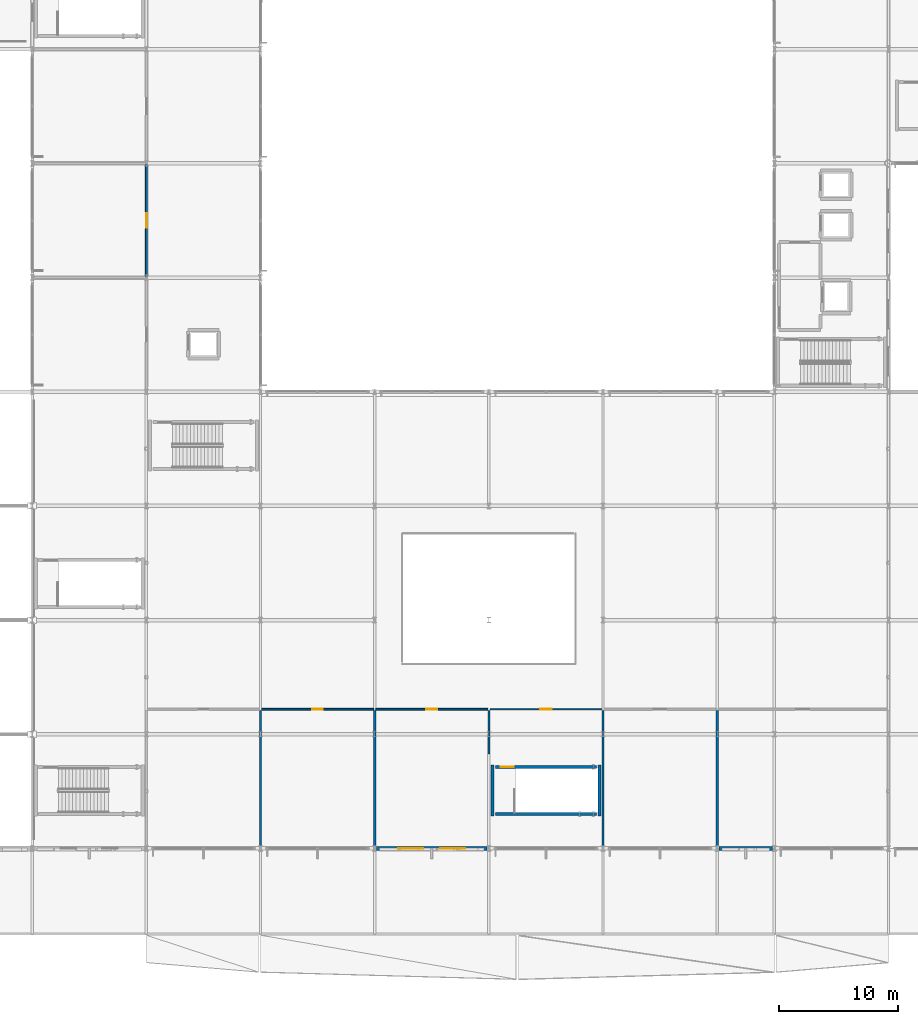
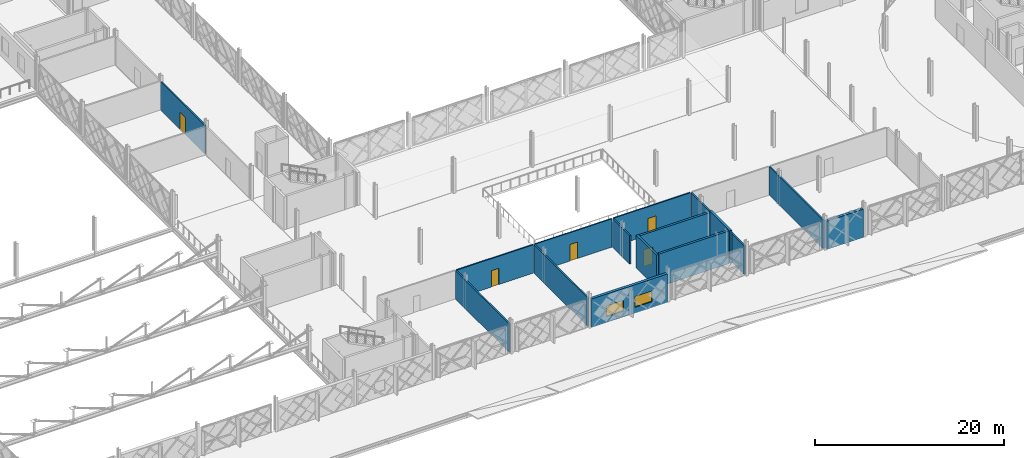
# One storey, part 66 of 101: 15 walls, 5 doors, 2 windows, 7 openings.
"""IFC4 building model written with IfcOpenShell, lengths in metres."""

from ifc_helpers import new_model, si_unit, direction, frame, frame_2d, origin, place, context, subcontext, project, spatial, rectangle, extrude, material, layer, layer_set, type_object, element, fill, save


model = new_model("IFC4")

# Units and contexts
model_context = context("Model", 3, precision=1e-05, world=origin(), true_north=direction((0.0, 1.0)))
body_context = subcontext(model_context, "Body", "Model", "MODEL_VIEW")
ifc_project = project(units=[si_unit("LENGTHUNIT", "METRE"), si_unit("AREAUNIT", "SQUARE_METRE"), si_unit("VOLUMEUNIT", "CUBIC_METRE"), si_unit("PLANEANGLEUNIT", "RADIAN"), si_unit("MASSUNIT", "GRAM", prefix="KILO")], contexts=[model_context])

# Site, building, storey
site_placement = place(None, origin())
site = spatial("IfcSite", under=ifc_project, at=site_placement, CompositionType="ELEMENT")
building_placement = place(site_placement, origin())
building = spatial("IfcBuilding", under=site, at=building_placement, Name="Zevrakil Square Congress Hotel", CompositionType="ELEMENT")
storey_placement = place(building_placement, frame((0.0, 0.0, 5.39990234375)))
storey = spatial("IfcBuildingStorey", under=building, at=storey_placement, Name="L02", CompositionType="ELEMENT", Elevation=5.39990234375)

# Wall, opening, door
ifc_material_1 = material(Name="Gypsum Acoustic Stud Partition")
ifc_layer_1 = layer(ifc_material_1, 0.159912109375)
ifc_layer_set_1 = layer_set([ifc_layer_1], Name="Gypsum Acoustic Stud Partition")
wall_type_1 = type_object("IfcWallType", Name="WAL-CORR-160", PredefinedType="PARTITIONING", material=ifc_layer_set_1)
wall_1_placement = place(storey_placement, frame((64.89990234375, 18.89990234375, 0.0), z_axis=(0.0, 0.0, 1.0), x_axis=(1.0, 0.0, 0.0)))
wall_1 = element("IfcWall", 1, at=wall_1_placement, inside=storey, type_object=wall_type_1, Name="L02 interior partition PW-L02-0169", PredefinedType="PARTITIONING", context=body_context, shape_type="SweptSolid", body=[
    extrude(rectangle(XDim=9.400146484375, YDim=0.159912109375, at=frame_2d((4.7001953125, 0.0))), origin(), (0.0, 0.0, 1.0), 3.675048828125),
])
opening_1_placement = place(wall_1_placement, frame((4.260009765625, 0.0, 0.0)))
opening_1 = element("IfcOpeningElement", 2, at=opening_1_placement, cuts=wall_1, Name="Opening ID-12", PredefinedType="OPENING", context=body_context, shape_type="SweptSolid", body=[
    extrude(rectangle(XDim=0.8798828125, YDim=2.1201171875, at=frame_2d((0.43994140625, 1.06005859375))), frame((0.0, 0.08984375, 0.0), z_axis=(0.0, -1.0, 0.0), x_axis=(1.0, 0.0, 0.0)), (0.0, 0.0, 1.0), 0.179931640625),
])
ifc_material_2 = material(Name="Acoustic Timber Door", Category="wood")
door_type_1 = type_object("IfcDoorType", Name="DOR-INT-V02", OperationType="NOTDEFINED", PredefinedType="DOOR", material=ifc_material_2)
door_1_placement = place(opening_1_placement, origin())
door_1 = element("IfcDoor", 3, at=door_1_placement, inside=storey, type_object=door_type_1, Name="L02 interior door 70", OperationType="SINGLE_SWING_RIGHT", OverallHeight=2.1201171875, OverallWidth=0.8798828125, PredefinedType="DOOR", context=body_context, shape_type="SweptSolid", body=[
    extrude(rectangle(XDim=0.8798828125, YDim=2.1201171875, at=frame_2d((0.43994140625, 1.06005859375))), frame((0.0, 0.02490234375, 0.0), z_axis=(0.0, -1.0, 0.0), x_axis=(1.0, 0.0, 0.0)), (0.0, 0.0, 1.0), 0.050048828125),
])
fill(opening_1, door_1)

wall_2_placement = place(storey_placement, frame((74.5, 18.89990234375, 0.0), z_axis=(0.0, 0.0, 1.0), x_axis=(1.0, 0.0, 0.0)))
wall_2 = element("IfcWall", 4, at=wall_2_placement, inside=storey, type_object=wall_type_1, Name="L02 interior partition PW-L02-0171", PredefinedType="PARTITIONING", context=body_context, shape_type="SweptSolid", body=[
    extrude(rectangle(XDim=9.39990234375, YDim=0.159912109375, at=frame_2d((4.699951171875, 0.0))), origin(), (0.0, 0.0, 1.0), 3.675048828125),
])
opening_2_placement = place(wall_2_placement, frame((4.22998046875, 0.0, 0.0)))
opening_2 = element("IfcOpeningElement", 5, at=opening_2_placement, cuts=wall_2, Name="Opening ID-13", PredefinedType="OPENING", context=body_context, shape_type="SweptSolid", body=[
    extrude(rectangle(XDim=0.93994140625, YDim=2.139892578125, at=frame_2d((0.469970703125, 1.06982421875))), frame((0.0, 0.08984375, 0.0), z_axis=(0.0, -1.0, 0.0), x_axis=(1.0, 0.0, 0.0)), (0.0, 0.0, 1.0), 0.179931640625),
])
ifc_material_3 = material(Name="Acoustic Timber Fire Door", Category="wood")
door_type_2 = type_object("IfcDoorType", Name="DOR-INT-V03", OperationType="NOTDEFINED", PredefinedType="DOOR", material=ifc_material_3)
door_2_placement = place(opening_2_placement, origin())
door_2 = element("IfcDoor", 6, at=door_2_placement, inside=storey, type_object=door_type_2, Name="L02 interior door 71", OperationType="SINGLE_SWING_LEFT", OverallHeight=2.139892578125, OverallWidth=0.93994140625, PredefinedType="DOOR", context=body_context, shape_type="SweptSolid", body=[
    extrude(rectangle(XDim=0.93994140625, YDim=2.139892578125, at=frame_2d((0.469970703125, 1.06982421875))), frame((0.0, 0.02490234375, 0.0), z_axis=(0.0, -1.0, 0.0), x_axis=(1.0, 0.0, 0.0)), (0.0, 0.0, 1.0), 0.050048828125),
])
fill(opening_2, door_2)

wall_3_placement = place(storey_placement, frame((84.10009765625, 18.89990234375, 0.0), z_axis=(0.0, 0.0, 1.0), x_axis=(1.0, 0.0, 0.0)))
wall_3 = element("IfcWall", 7, at=wall_3_placement, inside=storey, type_object=wall_type_1, Name="L02 interior partition PW-L02-0173", PredefinedType="PARTITIONING", context=body_context, shape_type="SweptSolid", body=[
    extrude(rectangle(XDim=9.39990234375, YDim=0.159912109375, at=frame_2d((4.699951171875, 0.0))), origin(), (0.0, 0.0, 1.0), 3.675048828125),
])
opening_3_placement = place(wall_3_placement, frame((4.2099609375, 0.0, 0.0)))
opening_3 = element("IfcOpeningElement", 8, at=opening_3_placement, cuts=wall_3, Name="Opening ID-14", PredefinedType="OPENING", context=body_context, shape_type="SweptSolid", body=[
    extrude(rectangle(XDim=0.97998046875, YDim=2.159912109375, at=frame_2d((0.489990234375, 1.080078125))), frame((0.0, 0.08984375, 0.0), z_axis=(0.0, -1.0, 0.0), x_axis=(1.0, 0.0, 0.0)), (0.0, 0.0, 1.0), 0.179931640625),
])
ifc_material_4 = material(Name="Acoustic Timber Fire Door", Category="wood")
door_type_3 = type_object("IfcDoorType", Name="DOR-INT-V04", OperationType="NOTDEFINED", PredefinedType="DOOR", material=ifc_material_4)
door_3_placement = place(opening_3_placement, origin())
door_3 = element("IfcDoor", 9, at=door_3_placement, inside=storey, type_object=door_type_3, Name="L02 interior door 72", OperationType="SINGLE_SWING_RIGHT", OverallHeight=2.159912109375, OverallWidth=0.97998046875, PredefinedType="DOOR", context=body_context, shape_type="SweptSolid", body=[
    extrude(rectangle(XDim=0.97998046875, YDim=2.159912109375, at=frame_2d((0.489990234375, 1.080078125))), frame((0.0, 0.02490234375, 0.0), z_axis=(0.0, -1.0, 0.0), x_axis=(1.0, 0.0, 0.0)), (0.0, 0.0, 1.0), 0.050048828125),
])
fill(opening_3, door_3)

wall_4_placement = place(storey_placement, frame((55.199951171875, 55.300048828125, 0.0), z_axis=(0.0, 0.0, 1.0), x_axis=(0.0, 1.0, 0.0)))
wall_4 = element("IfcWall", 10, at=wall_4_placement, inside=storey, type_object=wall_type_1, Name="L02 interior partition PW-L02-0182", PredefinedType="PARTITIONING", context=body_context, shape_type="SweptSolid", body=[
    extrude(rectangle(XDim=9.39990234375, YDim=0.159912109375, at=frame_2d((4.699951171875, 0.0))), origin(), (0.0, 0.0, 1.0), 3.68505859375),
])
opening_4_placement = place(wall_4_placement, frame((4.074951171875, 0.0, 0.0)))
opening_4 = element("IfcOpeningElement", 11, at=opening_4_placement, cuts=wall_4, Name="Opening ID-18", PredefinedType="OPENING", context=body_context, shape_type="SweptSolid", body=[
    extrude(rectangle(XDim=1.25, YDim=2.219970703125, at=frame_2d((0.625, 1.10986328125))), frame((0.0, 0.08984375, 0.0), z_axis=(0.0, -1.0, 0.0), x_axis=(1.0, 0.0, 0.0)), (0.0, 0.0, 1.0), 0.179931640625),
])
ifc_material_5 = material(Name="Acoustic Timber Fire Door", Category="wood")
door_type_4 = type_object("IfcDoorType", Name="DOR-INT-V08", OperationType="NOTDEFINED", PredefinedType="DOOR", material=ifc_material_5)
door_4_placement = place(opening_4_placement, origin())
door_4 = element("IfcDoor", 12, at=door_4_placement, inside=storey, type_object=door_type_4, Name="L02 interior door 76", OperationType="SINGLE_SWING_RIGHT", OverallHeight=2.219970703125, OverallWidth=1.25, PredefinedType="DOOR", context=body_context, shape_type="SweptSolid", body=[
    extrude(rectangle(XDim=1.25, YDim=2.219970703125, at=frame_2d((0.625, 1.10986328125))), frame((0.0, 0.02490234375, 0.0), z_axis=(0.0, -1.0, 0.0), x_axis=(1.0, 0.0, 0.0)), (0.0, 0.0, 1.0), 0.050048828125),
])
fill(opening_4, door_4)

# Wall, openings, windows
ifc_material_6 = material(Name="Precast concrete C40/50", Category="concrete")
ifc_layer_2 = layer(ifc_material_6, 0.320068359375)
ifc_layer_set_2 = layer_set([ifc_layer_2], Name="Precast concrete C40/50")
wall_type_2 = type_object("IfcWallType", Name="WAL-EXT-GRC-320", PredefinedType="SOLIDWALL", material=ifc_layer_set_2)
wall_5_placement = place(storey_placement, frame((74.553955078125, 7.199951171875, 0.0), z_axis=(0.0, 0.0, 1.0), x_axis=(1.0, 0.0, 0.0)))
wall_5 = element("IfcWall", 13, at=wall_5_placement, inside=storey, type_object=wall_type_2, Name="L02 exterior GRC wall EW-L02-0013", PredefinedType="SOLIDWALL", context=body_context, shape_type="SweptSolid", body=[
    extrude(rectangle(XDim=9.2919921875, YDim=0.320068359375, at=frame_2d((4.64599609375, 0.0))), origin(), (0.0, 0.0, 1.0), 3.68505859375),
])
opening_5_placement = place(wall_5_placement, frame((1.847900390625, 0.0, 0.75)))
opening_5 = element("IfcOpeningElement", 14, at=opening_5_placement, cuts=wall_5, Name="Opening WN-06", PredefinedType="OPENING", context=body_context, shape_type="SweptSolid", body=[
    extrude(rectangle(XDim=2.10009765625, YDim=1.39990234375, at=frame_2d((1.050048828125, 0.699951171875))), frame((0.0, 0.169921875, 0.0), z_axis=(0.0, -1.0, 0.0), x_axis=(1.0, 0.0, 0.0)), (0.0, 0.0, 1.0), 0.340087890625),
])
opening_6_placement = place(wall_5_placement, frame((5.343994140625, 0.0, 0.75)))
opening_6 = element("IfcOpeningElement", 15, at=opening_6_placement, cuts=wall_5, Name="Opening WN-06", PredefinedType="OPENING", context=body_context, shape_type="SweptSolid", body=[
    extrude(rectangle(XDim=2.10009765625, YDim=1.39990234375, at=frame_2d((1.050048828125, 0.699951171875))), frame((0.0, 0.169921875, 0.0), z_axis=(0.0, -1.0, 0.0), x_axis=(1.0, 0.0, 0.0)), (0.0, 0.0, 1.0), 0.340087890625),
])
ifc_material_7 = material(Name="Low-E Solar Control Double Glazing", Category="glass")
window_type = type_object("IfcWindowType", Name="WIN-EXT-06", PartitioningType="SINGLE_PANEL", PredefinedType="WINDOW", material=ifc_material_7)
window_1_placement = place(opening_5_placement, origin())
window_1 = element("IfcWindow", 16, at=window_1_placement, inside=storey, type_object=window_type, Name="L02 low-E solar window 6", OverallHeight=1.39990234375, OverallWidth=2.10009765625, PartitioningType="SINGLE_PANEL", PredefinedType="WINDOW", context=body_context, shape_type="SweptSolid", body=[
    extrude(rectangle(XDim=2.10009765625, YDim=1.39990234375, at=frame_2d((1.050048828125, 0.699951171875))), frame((0.0, 0.030029296875, 0.0), z_axis=(0.0, -1.0, 0.0), x_axis=(1.0, 0.0, 0.0)), (0.0, 0.0, 1.0), 0.06005859375),
])
fill(opening_5, window_1)
window_2_placement = place(opening_6_placement, origin())
window_2 = element("IfcWindow", 17, at=window_2_placement, inside=storey, type_object=window_type, Name="L02 low-E solar window 7", OverallHeight=1.39990234375, OverallWidth=2.10009765625, PartitioningType="SINGLE_PANEL", PredefinedType="WINDOW", context=body_context, shape_type="SweptSolid", body=[
    extrude(rectangle(XDim=2.10009765625, YDim=1.39990234375, at=frame_2d((1.050048828125, 0.699951171875))), frame((0.0, 0.030029296875, 0.0), z_axis=(0.0, -1.0, 0.0), x_axis=(1.0, 0.0, 0.0)), (0.0, 0.0, 1.0), 0.06005859375),
])
fill(opening_6, window_2)

# Walls
wall_6_placement = place(storey_placement, frame((103.35400390625, 7.199951171875, 0.0), z_axis=(0.0, 0.0, 1.0), x_axis=(1.0, 0.0, 0.0)))
element("IfcWall", 18, at=wall_6_placement, inside=storey, type_object=wall_type_2, Name="L02 exterior GRC wall EW-L02-0018", PredefinedType="SOLIDWALL", context=body_context, shape_type="SweptSolid", body=[
    extrude(rectangle(XDim=4.491943359375, YDim=0.320068359375, at=frame_2d((2.24609375, 0.0))), origin(), (0.0, 0.0, 1.0), 3.675048828125),
])
ifc_material_8 = material(Name="Gypsum Twin-Stud Party Partition")
ifc_layer_3 = layer(ifc_material_8, 0.179931640625)
ifc_layer_set_3 = layer_set([ifc_layer_3], Name="Gypsum Twin-Stud Party Partition")
wall_type_3 = type_object("IfcWallType", Name="WAL-PARTY-180", PredefinedType="PARTITIONING", material=ifc_layer_set_3)
for number, where, z_axis, x_axis, name in (
    (19, (64.800048828125, 7.39990234375, 0.0), (0.0, 0.0, 1.0), (0.0, 1.0, 0.0), "L02 interior partition PW-L02-0170"),
    (20, (74.39990234375, 7.39990234375, 0.0), (0.0, 0.0, 1.0), (0.0, 1.0, 0.0), "L02 interior partition PW-L02-0172"),
):
    element("IfcWall", number, at=place(storey_placement, frame(where, z_axis=z_axis, x_axis=x_axis)), inside=storey, type_object=wall_type_3, Name=name, PredefinedType="PARTITIONING", context=body_context, shape_type="SweptSolid", body=[
        extrude(rectangle(XDim=11.41015625, YDim=0.179931640625, at=frame_2d((5.705078125, 0.0))), origin(), (0.0, 0.0, 1.0), 3.68505859375),
    ])
wall_7_placement = place(storey_placement, frame((84.0, 15.14990234375, 0.0), z_axis=(0.0, 0.0, 1.0), x_axis=(0.0, 1.0, 0.0)))
element("IfcWall", 21, at=wall_7_placement, inside=storey, type_object=wall_type_3, Name="L02 interior partition PW-L02-0174", PredefinedType="PARTITIONING", context=body_context, shape_type="SweptSolid", body=[
    extrude(rectangle(XDim=3.66015625, YDim=0.179931640625, at=frame_2d((1.830078125, 0.0))), origin(), (0.0, 0.0, 1.0), 3.68505859375),
])
for number, where, z_axis, x_axis, name in (
    (22, (93.60009765625, 7.39990234375, 0.0), (0.0, 0.0, 1.0), (0.0, 1.0, 0.0), "L02 interior partition PW-L02-0176"),
    (23, (103.199951171875, 7.39990234375, 0.0), (0.0, 0.0, 1.0), (0.0, 1.0, 0.0), "L02 interior partition PW-L02-0178"),
):
    element("IfcWall", number, at=place(storey_placement, frame(where, z_axis=z_axis, x_axis=x_axis)), inside=storey, type_object=wall_type_3, Name=name, PredefinedType="PARTITIONING", context=body_context, shape_type="SweptSolid", body=[
        extrude(rectangle(XDim=11.41015625, YDim=0.179931640625, at=frame_2d((5.705078125, 0.0))), origin(), (0.0, 0.0, 1.0), 3.68505859375),
    ])
ifc_material_9 = material(Name="Concrete C40/50", Category="concrete")
ifc_layer_4 = layer(ifc_material_9, 0.260009765625)
ifc_layer_set_4 = layer_set([ifc_layer_4], Name="Concrete C40/50")
wall_type_4 = type_object("IfcWallType", Name="WAL-SHAFT-260", PredefinedType="SHEAR", material=ifc_layer_set_4)
for number, where, z_axis, x_axis, name in (
    (24, (84.304931640625, 9.93994140625, 0.0), (0.0, 0.0, 1.0), (0.0, 1.0, 0.0), "L02 ST15 stair shaft W wall"),
    (25, (93.294921875, 9.93994140625, 0.0), (0.0, 0.0, 1.0), (0.0, 1.0, 0.0), "L02 ST15 stair shaft E wall"),
):
    element("IfcWall", number, at=place(storey_placement, frame(where, z_axis=z_axis, x_axis=x_axis)), inside=storey, type_object=wall_type_4, Name=name, PredefinedType="SHEAR", context=body_context, shape_type="SweptSolid", body=[
        extrude(rectangle(XDim=4.27001953125, YDim=0.260009765625, at=frame_2d((2.135009765625, 0.0))), origin(), (0.0, 0.0, 1.0), 4.239990234375),
    ])
wall_8_placement = place(storey_placement, frame((84.5400390625, 10.10498046875, 0.0), z_axis=(0.0, 0.0, 1.0), x_axis=(1.0, 0.0, 0.0)))
element("IfcWall", 26, at=wall_8_placement, inside=storey, type_object=wall_type_4, Name="L02 ST15 stair shaft S wall", PredefinedType="SHEAR", context=body_context, shape_type="SweptSolid", body=[
    extrude(rectangle(XDim=8.52001953125, YDim=0.260009765625, at=frame_2d((4.260009765625, 0.0))), origin(), (0.0, 0.0, 1.0), 4.239990234375),
])

# Wall, opening, door
wall_9_placement = place(storey_placement, frame((84.5400390625, 14.044921875, 0.0), z_axis=(0.0, 0.0, 1.0), x_axis=(1.0, 0.0, 0.0)))
wall_9 = element("IfcWall", 27, at=wall_9_placement, inside=storey, type_object=wall_type_4, Name="L02 ST15 stair shaft N wall", PredefinedType="SHEAR", context=body_context, shape_type="SweptSolid", body=[
    extrude(rectangle(XDim=8.52001953125, YDim=0.260009765625, at=frame_2d((4.260009765625, 0.0))), origin(), (0.0, 0.0, 1.0), 4.239990234375),
])
opening_7_placement = place(wall_9_placement, frame((0.449951171875, 0.0, 0.0)))
opening_7 = element("IfcOpeningElement", 28, at=opening_7_placement, cuts=wall_9, Name="Opening SD-ST15", PredefinedType="OPENING", context=body_context, shape_type="SweptSolid", body=[
    extrude(rectangle(XDim=1.10009765625, YDim=2.199951171875, at=frame_2d((0.550048828125, 1.10009765625))), frame((0.0, 0.14013671875, 0.0), z_axis=(0.0, -1.0, 0.0), x_axis=(1.0, 0.0, 0.0)), (0.0, 0.0, 1.0), 0.280029296875),
])
ifc_material_10 = material(Name="Steel S355 Fire-Rated Door", Category="steel")
door_type_5 = type_object("IfcDoorType", Name="DOR-STAIR-FD90-110", OperationType="NOTDEFINED", PredefinedType="DOOR", material=ifc_material_10)
door_5_placement = place(opening_7_placement, origin())
door_5 = element("IfcDoor", 29, at=door_5_placement, inside=storey, type_object=door_type_5, Name="L02 ST15 protected stair fire door", OperationType="SINGLE_SWING_RIGHT", OverallHeight=2.199951171875, OverallWidth=1.10009765625, PredefinedType="DOOR", context=body_context, shape_type="SweptSolid", body=[
    extrude(rectangle(XDim=1.10009765625, YDim=2.199951171875, at=frame_2d((0.550048828125, 1.10009765625))), frame((0.0, 0.02490234375, 0.0), z_axis=(0.0, -1.0, 0.0), x_axis=(1.0, 0.0, 0.0)), (0.0, 0.0, 1.0), 0.050048828125),
])
fill(opening_7, door_5)

save(model, "model.ifc")
